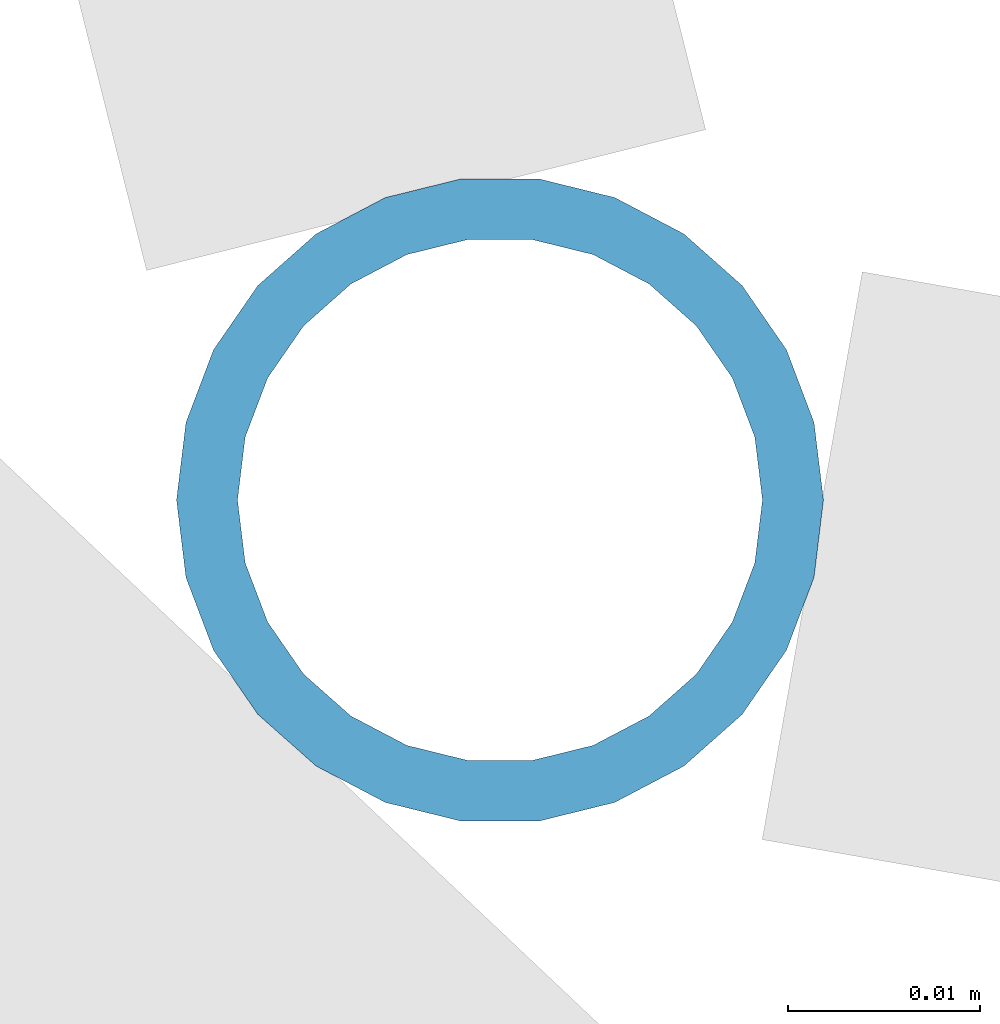
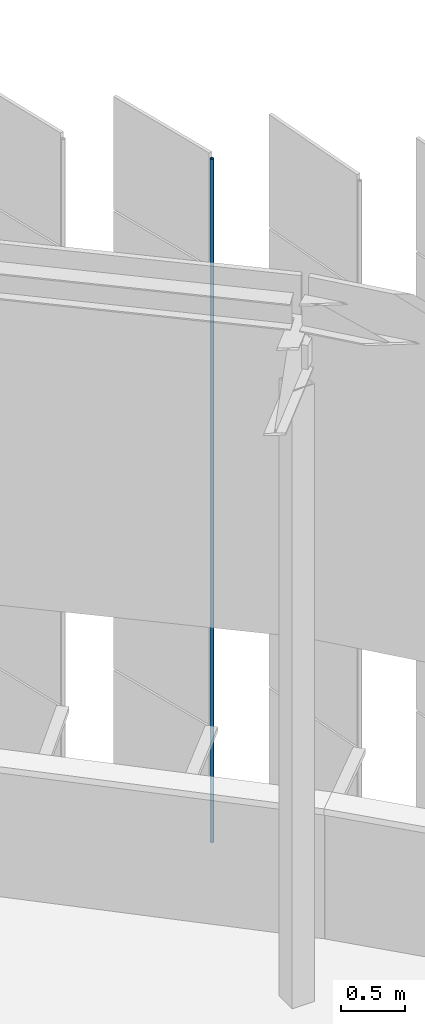
# One storey, part 323 of 483: 1 discrete accessory.
"""IFC4 building model written with IfcOpenShell, lengths in metres."""

import ifcopenshell
import ifcopenshell.guid

model = None  # the IFC model being written
_history = None  # IfcOwnerHistory: only IFC2X3 demands one
_inside = {}  # id of a spatial element -> (the spatial element, [elements in it])
_under = {}  # id of a project, library or spatial element -> (it, [spatial elements below it])
_declared = {}  # id of a project -> (the project, [libraries it declares])
_typed = {}  # id of a type object -> (the type object, [elements of that type])
_made_of = {}  # id of a material, layer set ... -> (it, [elements and type objects made of it])


def new_model(schema):
    """Start an empty IFC model of exactly this schema.

    Asked for "IFC4X3", IfcOpenShell would pick the latest addendum, in which some entities
    have other attributes; the version numbers below select the first issue.
    IFC2X3 requires an IfcOwnerHistory on every rooted entity: one is made here for all.
    """
    global model, _history
    if schema == "IFC4X3":
        model = ifcopenshell.file(schema_version=(4, 3, 0, 0))
    else:
        model = ifcopenshell.file(schema=schema)
    _inside.clear()
    _under.clear()
    _declared.clear()
    _typed.clear()
    _made_of.clear()
    _history = None
    if model.schema == "IFC2X3":
        org = make("IfcOrganization", Name="unknown")
        user = make(
            "IfcPersonAndOrganization",
            ThePerson=make("IfcPerson", FamilyName="unknown"),
            TheOrganization=org,
        )
        app = make(
            "IfcApplication",
            ApplicationDeveloper=org,
            Version="unknown",
            ApplicationFullName="unknown",
            ApplicationIdentifier="unknown",
        )
        _history = make(
            "IfcOwnerHistory",
            OwningUser=user,
            OwningApplication=app,
            ChangeAction="ADDED",
            CreationDate=0,
        )
    return model


def make(cls, **values):
    """One entity of the class cls with the attributes given. An attribute that is None is left unset."""
    return model.create_entity(
        cls, **{name: value for name, value in values.items() if value is not None}
    )


def rooted(cls, **values):
    """An entity with a GlobalId (a new one), such as an element, a storey or a relation."""
    return make(cls, GlobalId=ifcopenshell.guid.new(), OwnerHistory=_history, **values)


def si_unit(unit_type, name, prefix=None):
    """IfcSIUnit, for example si_unit("LENGTHUNIT", "METRE", prefix="MILLI")."""
    return make("IfcSIUnit", UnitType=unit_type, Prefix=prefix, Name=name)


def assignment(units):
    """IfcUnitAssignment: the units of a project."""
    return None if units is None else make("IfcUnitAssignment", Units=units)


def point(xyz):
    """IfcCartesianPoint."""
    return None if xyz is None else make("IfcCartesianPoint", Coordinates=xyz)


def direction(xyz):
    """IfcDirection."""
    return None if xyz is None else make("IfcDirection", DirectionRatios=xyz)


def frame(location, z_axis=None, x_axis=None):
    """IfcAxis2Placement3D, a coordinate frame: its origin and axes. An axis left out is left unset."""
    return make(
        "IfcAxis2Placement3D",
        Location=point(location),
        Axis=direction(z_axis),
        RefDirection=direction(x_axis),
    )


def frame_2d(location, x_axis=None):
    """IfcAxis2Placement2D, a coordinate frame in the plane: its origin and x axis."""
    return make(
        "IfcAxis2Placement2D", Location=point(location), RefDirection=direction(x_axis)
    )


def origin():
    """The frame at (0, 0, 0) with its axes left unset."""
    return frame((0.0, 0.0, 0.0))


def origin_2d():
    """The frame at (0, 0) in the plane with its x axis left unset."""
    return frame_2d((0.0, 0.0))


def place(relative_to, where):
    """IfcLocalPlacement: puts the frame where relative to a parent placement (None: the world)."""
    return make(
        "IfcLocalPlacement", PlacementRelTo=relative_to, RelativePlacement=where
    )


def context(
    kind, dimensions, precision=None, world=None, true_north=None, identifier=None
):
    """IfcGeometricRepresentationContext, for example the 3D "Model" context."""
    return make(
        "IfcGeometricRepresentationContext",
        ContextIdentifier=identifier,
        ContextType=kind,
        CoordinateSpaceDimension=dimensions,
        Precision=precision,
        WorldCoordinateSystem=world,
        TrueNorth=true_north,
    )


def subcontext(parent, identifier, kind, view, scale=None):
    """IfcGeometricRepresentationSubContext, for example "Body" below "Model"."""
    return make(
        "IfcGeometricRepresentationSubContext",
        ContextIdentifier=identifier,
        ContextType=kind,
        ParentContext=parent,
        TargetScale=scale,
        TargetView=view,
    )


def project(units=None, contexts=None):
    """IfcProject with its units and contexts."""
    return rooted(
        "IfcProject",
        Name="project",
        RepresentationContexts=contexts,
        UnitsInContext=assignment(units),
    )


def spatial(cls, under=None, at=None, **own):
    """A site, building, storey or space (cls), placed at a placement, below another one or the project."""
    s = rooted(cls, ObjectPlacement=at, **own)
    if under is not None:
        _under.setdefault(under.id(), (under, []))[1].append(s)
    return s


def profile(cls, at=None, kind="AREA", **sizes):
    """A parametric profile (cls). Its sizes go by their IFC names, for example OverallWidth=200.0."""
    return make(cls, ProfileType=kind, Position=at, **sizes)


def hollow_circle(**sizes):
    """IfcCircleHollowProfileDef."""
    return profile("IfcCircleHollowProfileDef", **sizes)


def extrude(swept, where, along, depth):
    """IfcExtrudedAreaSolid: the profile swept, set in the frame where, extruded along a direction by depth."""
    return make(
        "IfcExtrudedAreaSolid",
        SweptArea=swept,
        Position=where,
        ExtrudedDirection=direction(along),
        Depth=depth,
    )


def shape(context_of_items, identifier, shape_type, items):
    """IfcShapeRepresentation: the items that make up one representation, for example the "Body"."""
    return make(
        "IfcShapeRepresentation",
        ContextOfItems=context_of_items,
        RepresentationIdentifier=identifier,
        RepresentationType=shape_type,
        Items=items,
    )


def material(Name=None, Category=None):
    """IfcMaterial."""
    return make("IfcMaterial", Name=Name, Category=Category)


def material_profile(
    of_material, cross_section, Name=None, Category=None, Priority=None
):
    """IfcMaterialProfile: a cross section and its material."""
    return make(
        "IfcMaterialProfile",
        Name=Name,
        Material=of_material,
        Profile=cross_section,
        Priority=Priority,
        Category=Category,
    )


def profile_set(profiles, Name=None, composite=None):
    """IfcMaterialProfileSet."""
    return make(
        "IfcMaterialProfileSet",
        Name=Name,
        MaterialProfiles=profiles,
        CompositeProfile=composite,
    )


def made_of(thing, what):
    """Note that an element or type object is made of a material, layer set ...; save() writes the relation."""
    if what is not None:
        _made_of.setdefault(what.id(), (what, []))[1].append(thing)
    return thing


def type_object(cls, material=None, **own):
    """A type object (cls), such as IfcWallType, which elements share."""
    return made_of(rooted(cls, **own), material)


def element(
    cls,
    number,
    at=None,
    inside=None,
    cuts=None,
    type_object=None,
    material=None,
    context=None,
    identifier="Body",
    shape_type=None,
    held_by="IfcProductDefinitionShape",
    body=None,
    shapes=None,
    **own,
):
    """One element of the class cls, such as IfcWall. Its Tag is "e" and its number.

    at: its placement. inside: the storey or other place that contains it. cuts: it is an
    opening in that element (IfcRelVoidsElement). A single representation is given by context,
    identifier, shape_type and body (its items); several are given by shapes. held_by: the class
    of the entity that holds the representations. save() writes the other relations.
    """
    e = rooted(cls, Tag="e%d" % number, ObjectPlacement=at, **own)
    if body is not None:
        shapes = [shape(context, identifier, shape_type, body)]
    if shapes is not None:
        e.Representation = make(held_by, Representations=shapes)
    if inside is not None:
        _inside.setdefault(inside.id(), (inside, []))[1].append(e)
    if cuts is not None:
        rooted(
            "IfcRelVoidsElement", RelatingBuildingElement=cuts, RelatedOpeningElement=e
        )
    if type_object is not None:
        _typed.setdefault(type_object.id(), (type_object, []))[1].append(e)
    return made_of(e, material)


def aggregate(whole, parts):
    """IfcRelAggregates: a whole, such as a stair, and the parts it consists of."""
    return rooted("IfcRelAggregates", RelatingObject=whole, RelatedObjects=parts)


def save(model, path):
    """Write the relations noted so far, then the file.

    IfcRelAggregates (storeys below a building ...), IfcRelContainedInSpatialStructure (elements
    in a storey), IfcRelDefinesByType, IfcRelAssociatesMaterial and IfcRelDeclares: one each for
    every whole, place, type object, material and project.
    """
    for whole, parts in _under.values():
        aggregate(whole, parts)
    for where, things in _inside.values():
        rooted(
            "IfcRelContainedInSpatialStructure",
            RelatedElements=things,
            RelatingStructure=where,
        )
    for kind, things in _typed.values():
        rooted("IfcRelDefinesByType", RelatedObjects=things, RelatingType=kind)
    for what, things in _made_of.values():
        rooted("IfcRelAssociatesMaterial", RelatedObjects=things, RelatingMaterial=what)
    for by, libraries in _declared.values():
        rooted("IfcRelDeclares", RelatingContext=by, RelatedDefinitions=libraries)
    model.write(path)


model = new_model("IFC4")

# Units and contexts
model_context = context("Model", 3, precision=1e-05, world=origin(), true_north=direction((0.0, 1.0)))
body_context = subcontext(model_context, "Body", "Model", "MODEL_VIEW")
ifc_project = project(units=[si_unit("LENGTHUNIT", "METRE"), si_unit("AREAUNIT", "SQUARE_METRE"), si_unit("VOLUMEUNIT", "CUBIC_METRE"), si_unit("PLANEANGLEUNIT", "RADIAN"), si_unit("MASSUNIT", "GRAM", prefix="KILO")], contexts=[model_context])

# Site, building, storey
site_placement = place(None, origin())
site = spatial("IfcSite", under=ifc_project, at=site_placement, CompositionType="ELEMENT")
building_placement = place(site_placement, origin())
building = spatial("IfcBuilding", under=site, at=building_placement, Name="Parallax Yard Mobility Hub", CompositionType="ELEMENT")
storey_placement = place(building_placement, frame((0.0, 0.0, 13.199951171875)))
storey = spatial("IfcBuildingStorey", under=building, at=storey_placement, Name="L04", CompositionType="ELEMENT", Elevation=13.199951171875)

# Discrete accessory
ifc_material = material(Name="Steel ASTM A500 Gr C, hot-dip galvanised", Category="steel")
ifc_material_profile = material_profile(ifc_material, hollow_circle(Radius=0.016845703125, WallThickness=0.003173828125, at=origin_2d()), Name="CHS 33.7x3.2")
ifc_profile_set = profile_set([ifc_material_profile], Name="Steel ASTM A500 Gr C, hot-dip galvanised")
discrete_accessory_type = type_object("IfcDiscreteAccessoryType", Name="Hinge post CHS 33.7x3.2", PredefinedType="BRACKET", material=ifc_profile_set)
discrete_accessory_placement = place(storey_placement, frame((209.344482421875, 128.54150390625, 0.0), z_axis=(0.0, 0.0, 1.0), x_axis=(1.0, 0.0, 0.0)))
element("IfcDiscreteAccessory", 1, at=discrete_accessory_placement, inside=storey, type_object=discrete_accessory_type, Name="Hinge post bay 46.2 level L04", PredefinedType="BRACKET", context=body_context, shape_type="SweptSolid", body=[
    extrude(hollow_circle(Radius=0.016845703125, WallThickness=0.003173828125, at=origin_2d()), origin(), (0.0, 0.0, 1.0), 6.550048828125),
])

save(model, "model.ifc")
